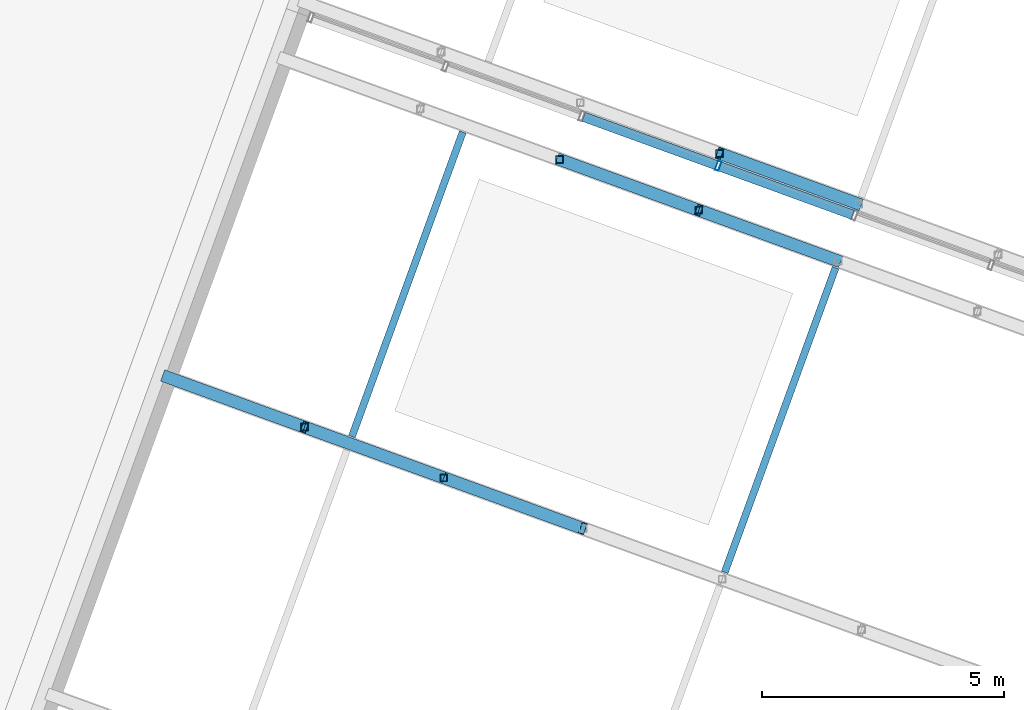
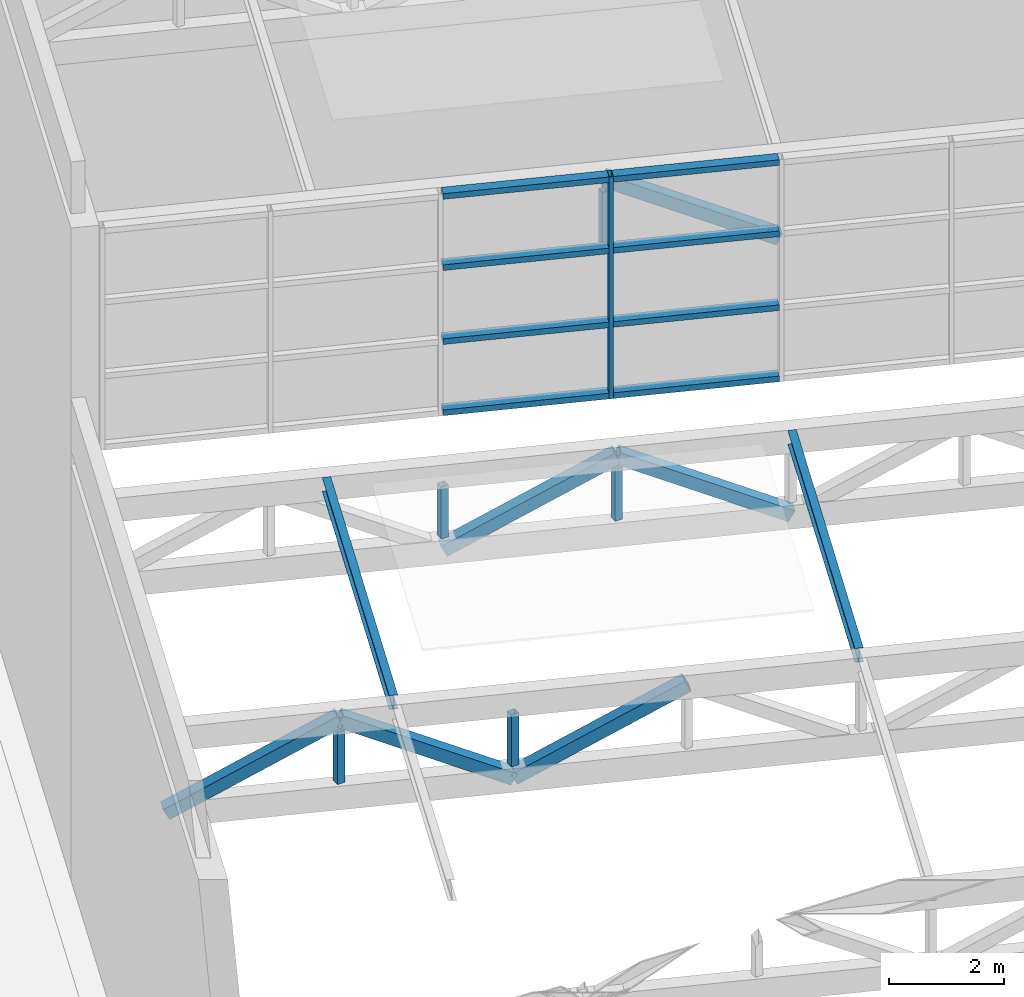
# One storey, part 33 of 72: 22 members, 1 element without a shape of its own.
"""IFC4 building model written with IfcOpenShell, lengths in metres."""

from ifc_helpers import new_model, si_unit, direction, frame, origin, origin_2d, place, context, subcontext, project, spatial, hollow_rectangle, i_section, extrude, material, layer, layer_set, material_profile, profile_set, type_object, element, aggregate, save


model = new_model("IFC4")

# Units and contexts
model_context = context("Model", 3, precision=1e-05, world=origin(), true_north=direction((0.0, 1.0)))
body_context = subcontext(model_context, "Body", "Model", "MODEL_VIEW")
ifc_project = project(units=[si_unit("LENGTHUNIT", "METRE"), si_unit("AREAUNIT", "SQUARE_METRE"), si_unit("VOLUMEUNIT", "CUBIC_METRE"), si_unit("PLANEANGLEUNIT", "RADIAN"), si_unit("MASSUNIT", "GRAM", prefix="KILO")], contexts=[model_context])

# Site, building, storey
site_placement = place(None, origin())
site = spatial("IfcSite", under=ifc_project, at=site_placement, CompositionType="ELEMENT")
building_placement = place(site_placement, origin())
building = spatial("IfcBuilding", under=site, at=building_placement, Name="Nzadi Deep Aquarium and Research Tower", CompositionType="ELEMENT")
storey_placement = place(building_placement, frame((0.0, 0.0, 31.89990234375)))
storey = spatial("IfcBuildingStorey", under=building, at=storey_placement, Name="L05", CompositionType="ELEMENT", Elevation=31.89990234375)

# Members
ifc_material_1 = material(Name="Steel S355", Category="steel")
ifc_material_profile_1 = material_profile(ifc_material_1, i_section(OverallWidth=0.14990234375, OverallDepth=0.300048828125, WebThickness=0.007080078125, FlangeThickness=0.0107421875, FilletRadius=0.014892578125, at=origin_2d()))
ifc_profile_set_1 = profile_set([ifc_material_profile_1], Name="Steel S355")
member_type_1 = type_object("IfcMemberType", Name="IPE 300", PredefinedType="PURLIN", material=ifc_profile_set_1)
for number, where, z_axis, x_axis, name in (
    (1, (18.40966796875, 65.6279296875, 8.650146484375), (0.342018071111, 0.939693375008, 0.0), (-0.939693375008, 0.342018071111, 0.0), "MB-PR-R1-PU1-3"),
    (2, (26.115234375, 62.823486328125, 8.650146484375), (0.342018071111, 0.939693375008, 0.0), (-0.939693375008, 0.342018071111, 0.0), "MB-PR-R1-PU2-3"),
):
    element("IfcMember", number, at=place(storey_placement, frame(where, z_axis=z_axis, x_axis=x_axis)), inside=storey, type_object=member_type_1, Name=name, PredefinedType="PURLIN", context=body_context, shape_type="SweptSolid", body=[
        extrude(i_section(OverallWidth=0.14990234375, OverallDepth=0.300048828125, WebThickness=0.007080078125, FlangeThickness=0.0107421875, FilletRadius=0.014892578125, at=origin_2d()), origin(), (0.0, 0.0, 1.0), 6.699951171875),
    ])

# Curtain wall, member
ifc_material_2 = material(Name="Aluminium glazing frame tall", Category="aluminium")
ifc_layer = layer(ifc_material_2, 0.199951171875)
ifc_layer_set = layer_set([ifc_layer], Name="Aluminium glazing frame tall")
curtain_wall_type = type_object("IfcCurtainWallType", Name="Curtain wall Clerestory Tall 200", PredefinedType="NOTDEFINED", material=ifc_layer_set)
curtain_wall_placement = place(storey_placement, origin())
curtain_wall = element("IfcCurtainWall", 3, at=curtain_wall_placement, inside=storey, type_object=curtain_wall_type, Name="Prism clerestory glazing", PredefinedType="NOTDEFINED")
ifc_material_3 = material(Name="Aluminium glazing frame tall", Category="aluminium")
ifc_material_profile_2 = material_profile(ifc_material_3, hollow_rectangle(XDim=0.199951171875, YDim=0.080078125, WallThickness=0.0048828125, at=origin_2d()))
ifc_profile_set_2 = profile_set([ifc_material_profile_2], Name="Aluminium glazing frame tall")
member_type_2 = type_object("IfcMemberType", Name="Mullion 80x200 Clerestory Tall", PredefinedType="MULLION", material=ifc_profile_set_2)
member_1_placement = place(storey_placement, frame((25.98095703125, 71.22607421875, 9.10009765625), z_axis=(0.0, 0.0, 1.0), x_axis=(0.342020143326, 0.939692620786, 0.0)))
member_1 = element("IfcMember", 4, at=member_1_placement, type_object=member_type_2, Name="CW257 mullion 4", PredefinedType="MULLION", context=body_context, shape_type="SweptSolid", body=[
    extrude(hollow_rectangle(XDim=0.199951171875, YDim=0.080078125, WallThickness=0.0048828125, at=origin_2d()), origin(), (0.0, 0.0, 1.0), 4.699951171875),
])

# Members
ifc_material_4 = material(Name="Steel S355", Category="steel")
ifc_material_profile_3 = material_profile(ifc_material_4, hollow_rectangle(XDim=0.14990234375, YDim=0.14990234375, WallThickness=0.008056640625, at=origin_2d()))
ifc_profile_set_3 = profile_set([ifc_material_profile_3], Name="Steel S355")
member_type_3 = type_object("IfcMemberType", Name="RHS 150x150x8 post 2", PredefinedType="POST", material=ifc_profile_set_3)
for number, where, z_axis, x_axis, name in (
    (5, (17.430419921875, 65.82470703125, 7.2001953125), (0.0, 0.0, 1.0), (1.0, 0.0, 0.0), "MB-PR-R1-T2-V1"),
    (6, (20.30810546875, 64.77734375, 7.2001953125), (0.0, 0.0, 1.0), (1.0, 0.0, 0.0), "MB-PR-R1-T2-V2"),
    (7, (22.702392578125, 71.355224609375, 7.2001953125), (0.0, 0.0, 1.0), (1.0, 0.0, 0.0), "MB-PR-R1-T3-V2"),
    (8, (25.580078125, 70.307861328125, 7.2001953125), (0.0, 0.0, 1.0), (1.0, 0.0, 0.0), "MB-PR-R1-T3-V3"),
    (9, (26.0078125, 71.482421875, 12.2001953125), (0.0, 0.0, 1.0), (1.0, 0.0, 0.0), "MB-PR-R2-T1-V3"),
):
    element("IfcMember", number, at=place(storey_placement, frame(where, z_axis=z_axis, x_axis=x_axis)), inside=storey, type_object=member_type_3, Name=name, PredefinedType="POST", context=body_context, shape_type="SweptSolid", body=[
        extrude(hollow_rectangle(XDim=0.14990234375, YDim=0.14990234375, WallThickness=0.008056640625, at=origin_2d()), origin(), (0.0, 0.0, 1.0), 1.099853515625),
    ])
ifc_material_5 = material(Name="Steel S355", Category="steel")
ifc_material_profile_4 = material_profile(ifc_material_5, hollow_rectangle(XDim=0.25, YDim=0.25, WallThickness=0.01611328125, at=origin_2d()))
ifc_profile_set_4 = profile_set([ifc_material_profile_4], Name="Steel S355")
member_type_4 = type_object("IfcMemberType", Name="RHS 250x250x16 brace", PredefinedType="BRACE", material=ifc_profile_set_4)
member_2_placement = place(storey_placement, frame((14.552490234375, 66.872314453125, 6.9501953125), z_axis=(0.832889250835, -0.30318355746, 0.463006723848), x_axis=(0.342056666941, 0.939679326473, 0.0)))
element("IfcMember", 10, at=member_2_placement, inside=storey, type_object=member_type_4, Name="MB-PR-R1-T2-D1", PredefinedType="BRACE", context=body_context, shape_type="SweptSolid", body=[
    extrude(hollow_rectangle(XDim=0.25, YDim=0.25, WallThickness=0.01611328125, at=origin_2d()), origin(), (0.0, 0.0, 1.0), 3.455322265625),
])
member_3_placement = place(storey_placement, frame((17.430419921875, 65.82470703125, 8.550048828125), z_axis=(0.832885449393, -0.303137234062, -0.463043891564), x_axis=(0.342011896186, 0.939695622458, 0.0)))
element("IfcMember", 11, at=member_3_placement, inside=storey, type_object=member_type_4, Name="MB-PR-R1-T2-D2", PredefinedType="BRACE", context=body_context, shape_type="SweptSolid", body=[
    extrude(hollow_rectangle(XDim=0.25, YDim=0.25, WallThickness=0.01611328125, at=origin_2d()), origin(), (0.0, 0.0, 1.0), 3.455078125),
])
member_4_placement = place(storey_placement, frame((20.30810546875, 64.77734375, 6.9501953125), z_axis=(0.832907091186, -0.3031193944, 0.463016641376), x_axis=(0.341986276019, 0.939704946786, 0.0)))
element("IfcMember", 12, at=member_4_placement, inside=storey, type_object=member_type_4, Name="MB-PR-R1-T2-D3", PredefinedType="BRACE", context=body_context, shape_type="SweptSolid", body=[
    extrude(hollow_rectangle(XDim=0.25, YDim=0.25, WallThickness=0.01611328125, at=origin_2d()), origin(), (0.0, 0.0, 1.0), 3.455322265625),
])
member_5_placement = place(storey_placement, frame((22.702392578125, 71.355224609375, 6.9501953125), z_axis=(0.832885449393, -0.303137234062, 0.463043891564), x_axis=(0.342011896186, 0.939695622458, 0.0)))
element("IfcMember", 13, at=member_5_placement, inside=storey, type_object=member_type_4, Name="MB-PR-R1-T3-D3", PredefinedType="BRACE", context=body_context, shape_type="SweptSolid", body=[
    extrude(hollow_rectangle(XDim=0.25, YDim=0.25, WallThickness=0.01611328125, at=origin_2d()), origin(), (0.0, 0.0, 1.0), 3.455078125),
])
member_6_placement = place(storey_placement, frame((25.580078125, 70.307861328125, 8.550048828125), z_axis=(0.832889250835, -0.30318355746, -0.463006723848), x_axis=(0.342056666941, 0.939679326473, 0.0)))
element("IfcMember", 14, at=member_6_placement, inside=storey, type_object=member_type_4, Name="MB-PR-R1-T3-D4", PredefinedType="BRACE", context=body_context, shape_type="SweptSolid", body=[
    extrude(hollow_rectangle(XDim=0.25, YDim=0.25, WallThickness=0.01611328125, at=origin_2d()), origin(), (0.0, 0.0, 1.0), 3.455322265625),
])
member_7_placement = place(storey_placement, frame((26.0078125, 71.482421875, 13.550048828125), z_axis=(0.832867607406, -0.303201400134, -0.463033972286), x_axis=(0.342082290984, 0.939669998561, 0.0)))
element("IfcMember", 15, at=member_7_placement, inside=storey, type_object=member_type_4, Name="MB-PR-R2-T1-D4", PredefinedType="BRACE", context=body_context, shape_type="SweptSolid", body=[
    extrude(hollow_rectangle(XDim=0.25, YDim=0.25, WallThickness=0.01611328125, at=origin_2d()), origin(), (0.0, 0.0, 1.0), 3.455078125),
])

# Member
ifc_material_6 = material(Name="Aluminium glazing frame tall", Category="aluminium")
ifc_material_profile_5 = material_profile(ifc_material_6, hollow_rectangle(XDim=0.199951171875, YDim=0.1201171875, WallThickness=0.0048828125, at=origin_2d()))
ifc_profile_set_5 = profile_set([ifc_material_profile_5], Name="Aluminium glazing frame tall")
member_type_5 = type_object("IfcMemberType", Name="Transom 120x200 Clerestory Tall", PredefinedType="MULLION", material=ifc_profile_set_5)
member_8_placement = place(storey_placement, frame((23.199462890625, 72.238525390625, 9.16015625), z_axis=(0.939683523464, -0.342045136978, 0.0), x_axis=(0.342045136978, 0.939683523464, 0.0)))
member_8 = element("IfcMember", 16, at=member_8_placement, type_object=member_type_5, Name="CW257 transom 3.1", PredefinedType="MULLION", context=body_context, shape_type="SweptSolid", body=[
    extrude(hollow_rectangle(XDim=0.199951171875, YDim=0.1201171875, WallThickness=0.0048828125, at=origin_2d()), origin(), (0.0, 0.0, 1.0), 2.919921875),
])

member_9_placement = place(storey_placement, frame((23.199462890625, 72.238525390625, 10.6669921875), z_axis=(0.939683523464, -0.342045136978, 0.0), x_axis=(0.342045136978, 0.939683523464, 0.0)))
member_9 = element("IfcMember", 17, at=member_9_placement, type_object=member_type_5, Name="CW257 transom 3.2", PredefinedType="MULLION", context=body_context, shape_type="SweptSolid", body=[
    extrude(hollow_rectangle(XDim=0.199951171875, YDim=0.1201171875, WallThickness=0.0048828125, at=origin_2d()), origin(), (0.0, 0.0, 1.0), 2.919921875),
])

member_10_placement = place(storey_placement, frame((23.199462890625, 72.238525390625, 12.233154296875), z_axis=(0.939683523464, -0.342045136978, 0.0), x_axis=(0.342045136978, 0.939683523464, 0.0)))
member_10 = element("IfcMember", 18, at=member_10_placement, type_object=member_type_5, Name="CW257 transom 3.3", PredefinedType="MULLION", context=body_context, shape_type="SweptSolid", body=[
    extrude(hollow_rectangle(XDim=0.199951171875, YDim=0.1201171875, WallThickness=0.0048828125, at=origin_2d()), origin(), (0.0, 0.0, 1.0), 2.919921875),
])

member_11_placement = place(storey_placement, frame((23.199462890625, 72.238525390625, 13.739990234375), z_axis=(0.939683523464, -0.342045136978, 0.0), x_axis=(0.342045136978, 0.939683523464, 0.0)))
member_11 = element("IfcMember", 19, at=member_11_placement, type_object=member_type_5, Name="CW257 transom 3.4", PredefinedType="MULLION", context=body_context, shape_type="SweptSolid", body=[
    extrude(hollow_rectangle(XDim=0.199951171875, YDim=0.1201171875, WallThickness=0.0048828125, at=origin_2d()), origin(), (0.0, 0.0, 1.0), 2.919921875),
])

member_12_placement = place(storey_placement, frame((26.0185546875, 71.21240234375, 9.16015625), z_axis=(0.939683523464, -0.342045136978, 0.0), x_axis=(0.342045136978, 0.939683523464, 0.0)))
member_12 = element("IfcMember", 20, at=member_12_placement, type_object=member_type_5, Name="CW257 transom 4.1", PredefinedType="MULLION", context=body_context, shape_type="SweptSolid", body=[
    extrude(hollow_rectangle(XDim=0.199951171875, YDim=0.1201171875, WallThickness=0.0048828125, at=origin_2d()), origin(), (0.0, 0.0, 1.0), 2.919921875),
])

member_13_placement = place(storey_placement, frame((26.0185546875, 71.21240234375, 10.6669921875), z_axis=(0.939683523464, -0.342045136978, 0.0), x_axis=(0.342045136978, 0.939683523464, 0.0)))
member_13 = element("IfcMember", 21, at=member_13_placement, type_object=member_type_5, Name="CW257 transom 4.2", PredefinedType="MULLION", context=body_context, shape_type="SweptSolid", body=[
    extrude(hollow_rectangle(XDim=0.199951171875, YDim=0.1201171875, WallThickness=0.0048828125, at=origin_2d()), origin(), (0.0, 0.0, 1.0), 2.919921875),
])

member_14_placement = place(storey_placement, frame((26.0185546875, 71.21240234375, 12.233154296875), z_axis=(0.939683523464, -0.342045136978, 0.0), x_axis=(0.342045136978, 0.939683523464, 0.0)))
member_14 = element("IfcMember", 22, at=member_14_placement, type_object=member_type_5, Name="CW257 transom 4.3", PredefinedType="MULLION", context=body_context, shape_type="SweptSolid", body=[
    extrude(hollow_rectangle(XDim=0.199951171875, YDim=0.1201171875, WallThickness=0.0048828125, at=origin_2d()), origin(), (0.0, 0.0, 1.0), 2.919921875),
])

member_15_placement = place(storey_placement, frame((26.0185546875, 71.21240234375, 13.739990234375), z_axis=(0.939683523464, -0.342045136978, 0.0), x_axis=(0.342045136978, 0.939683523464, 0.0)))
member_15 = element("IfcMember", 23, at=member_15_placement, type_object=member_type_5, Name="CW257 transom 4.4", PredefinedType="MULLION", context=body_context, shape_type="SweptSolid", body=[
    extrude(hollow_rectangle(XDim=0.199951171875, YDim=0.1201171875, WallThickness=0.0048828125, at=origin_2d()), origin(), (0.0, 0.0, 1.0), 2.919921875),
])

aggregate(curtain_wall, [member_1, member_8, member_9, member_10, member_11, member_12, member_13, member_14, member_15])

save(model, "model.ifc")
